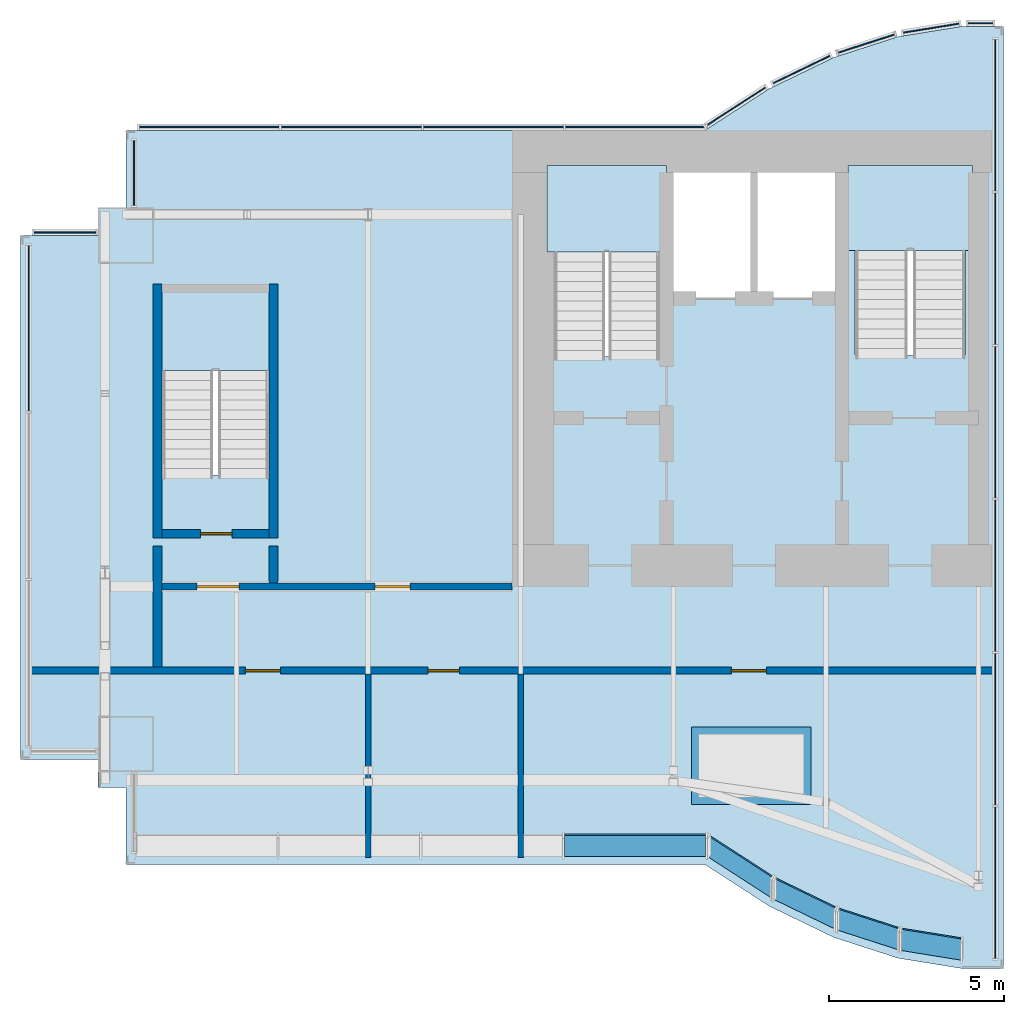
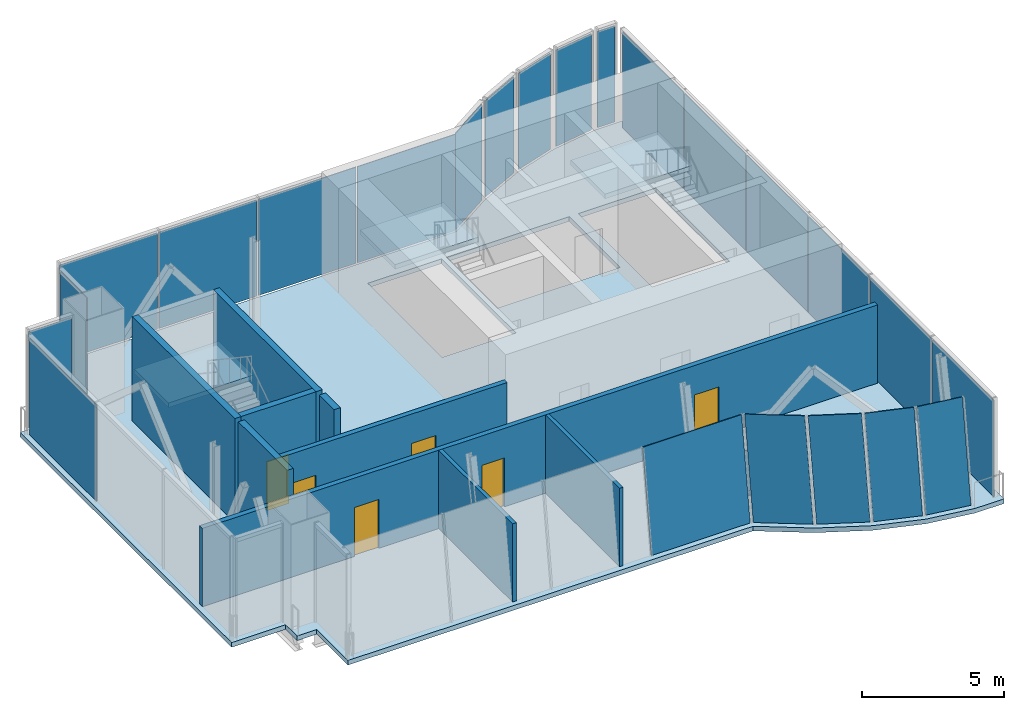
# One storey, part 3 of 6: 23 plates, 10 walls, 6 doors, 4 slabs, 6 openings, 18 elements without a shape of their own.
"""IFC4 building model written with IfcOpenShell, lengths in metres."""

from ifc_helpers import new_model, si_unit, direction, frame, frame_2d, origin, origin_2d, place, context, subcontext, project, spatial, polyline, rectangle, outline, extrude, material, layer, layer_set, type_object, element, fill, aggregate, save


model = new_model("IFC4")

# Units and contexts
model_context = context("Model", 3, precision=1e-05, world=origin(), true_north=direction((0.0, 1.0)))
body_context = subcontext(model_context, "Body", "Model", "MODEL_VIEW")
ifc_project = project(units=[si_unit("LENGTHUNIT", "METRE"), si_unit("AREAUNIT", "SQUARE_METRE"), si_unit("VOLUMEUNIT", "CUBIC_METRE"), si_unit("PLANEANGLEUNIT", "RADIAN"), si_unit("MASSUNIT", "GRAM", prefix="KILO")], contexts=[model_context])

# Site, building, storey
site_placement = place(None, origin())
site = spatial("IfcSite", under=ifc_project, at=site_placement, CompositionType="ELEMENT")
building_placement = place(site_placement, origin())
building = spatial("IfcBuilding", under=site, at=building_placement, Name="Bicima Exchange Tower", CompositionType="ELEMENT")
storey_placement = place(building_placement, frame((0.0, 0.0, 365.89990234375)))
storey = spatial("IfcBuildingStorey", under=building, at=storey_placement, Name="L82", CompositionType="ELEMENT", Elevation=365.89990234375)

# Slab
ifc_material_1 = material(Name="Concrete C40/50", Category="concrete")
ifc_layer_1 = layer(ifc_material_1, 0.199951171875)
ifc_layer_set_1 = layer_set([ifc_layer_1], Name="Concrete C40/50")
slab_type_1 = type_object("IfcSlabType", Name="Composite floor slab 200", PredefinedType="FLOOR", material=ifc_layer_set_1)
slab_1_placement = place(storey_placement, frame((0.0, 0.0, -0.199951171875)))
element("IfcSlab", 1, at=slab_1_placement, inside=storey, type_object=slab_type_1, Name="Floor slab", PredefinedType="FLOOR", context=body_context, shape_type="SweptSolid", body=[
    extrude(outline(polyline([(-33.800048828125, -17.92626953125), (-36.0, -17.92626953125), (-36.0, -3.0), (-33.800048828125, -3.0), (-33.800048828125, -2.199951171875), (-33.0, -2.199951171875), (-33.0, 0.0), (-16.5, 0.0), (-14.666748046875, 1.185302734375), (-12.833251953125, 2.07421875), (-11.0, 2.666748046875), (-9.166748046875, 2.962890625), (-8.0, 2.962890625), (-8.0, -23.88916015625), (-9.166748046875, -23.88916015625), (-11.0, -23.593017578125), (-12.833251953125, -23.000244140625), (-14.666748046875, -22.111572265625), (-16.5, -20.92626953125), (-33.0, -20.92626953125), (-33.0, -18.726318359375), (-33.800048828125, -18.726318359375), (-33.800048828125, -17.92626953125)]), holes=[polyline([(-28.925048828125, -4.625), (-31.97509765625, -4.625), (-31.97509765625, -9.824951171875), (-28.925048828125, -9.824951171875), (-28.925048828125, -4.625)]), polyline([(-17.800048828125, -1.199951171875), (-20.800048828125, -1.199951171875), (-20.800048828125, -6.449951171875), (-17.800048828125, -6.449951171875), (-17.800048828125, -1.199951171875)]), polyline([(-9.074951171875, -1.199951171875), (-12.22509765625, -1.199951171875), (-12.22509765625, -6.39990234375), (-9.074951171875, -6.39990234375), (-9.074951171875, -1.199951171875)]), polyline([(-12.60009765625, -1.199951171875), (-15.10009765625, -1.199951171875), (-17.60009765625, -1.199951171875), (-17.60009765625, -4.800048828125), (-15.10009765625, -4.800048828125), (-12.60009765625, -4.800048828125), (-12.60009765625, -1.199951171875)])]), origin(), (0.0, 0.0, 1.0), 0.199951171875),
])

# Curtain wall, plates
ifc_material_2 = material(Name="Anodised bronze aluminium", Category="aluminium")
curtain_wall_type = type_object("IfcCurtainWallType", Name="Crown glass wall", PredefinedType="NOTDEFINED", material=ifc_material_2)
curtain_wall_1_placement = place(storey_placement, origin())
curtain_wall_1 = element("IfcCurtainWall", 2, at=curtain_wall_1_placement, inside=storey, type_object=curtain_wall_type, Name="Crown glass wall L82 run 2", PredefinedType="NOTDEFINED")
ifc_material_3 = material(Name="Bronze tinted glass", Category="glass")
ifc_layer_2 = layer(ifc_material_3, 0.035888671875)
ifc_layer_set_2 = layer_set([ifc_layer_2], Name="Bronze tinted glass")
plate_type = type_object("IfcPlateType", Name="Crown glass wall glass panel 36", PredefinedType="CURTAIN_PANEL", material=ifc_layer_set_2)
plate_1_placement = place(storey_placement, frame((-8.22998046875, -21.4423828125, 0.0), z_axis=(0.0, 0.0, 1.0), x_axis=(0.0, 1.0, 0.0)))
plate_1 = element("IfcPlate", 3, at=plate_1_placement, type_object=plate_type, Name="Crown glass wall panel 1.1", PredefinedType="CURTAIN_PANEL", context=body_context, shape_type="SweptSolid", body=[
    extrude(rectangle(XDim=4.313720703125, YDim=0.035888671875, at=origin_2d()), origin(), (0.0, 0.0, 1.0), 4.139892578125),
])
plate_2_placement = place(storey_placement, frame((-8.22998046875, -17.068603515625, 0.0), z_axis=(0.0, 0.0, 1.0), x_axis=(0.0, 1.0, 0.0)))
plate_2 = element("IfcPlate", 4, at=plate_2_placement, type_object=plate_type, Name="Crown glass wall panel 2.1", PredefinedType="CURTAIN_PANEL", context=body_context, shape_type="SweptSolid", body=[
    extrude(rectangle(XDim=4.313720703125, YDim=0.035888671875, at=origin_2d()), origin(), (0.0, 0.0, 1.0), 4.139892578125),
])
plate_3_placement = place(storey_placement, frame((-8.22998046875, -12.695068359375, 0.0), z_axis=(0.0, 0.0, 1.0), x_axis=(0.0, 1.0, 0.0)))
plate_3 = element("IfcPlate", 5, at=plate_3_placement, type_object=plate_type, Name="Crown glass wall panel 3.1", PredefinedType="CURTAIN_PANEL", context=body_context, shape_type="SweptSolid", body=[
    extrude(rectangle(XDim=4.313720703125, YDim=0.035888671875, at=origin_2d()), origin(), (0.0, 0.0, 1.0), 4.139892578125),
])
plate_4_placement = place(storey_placement, frame((-8.22998046875, -8.3212890625, 0.0), z_axis=(0.0, 0.0, 1.0), x_axis=(0.0, 1.0, 0.0)))
plate_4 = element("IfcPlate", 6, at=plate_4_placement, type_object=plate_type, Name="Crown glass wall panel 4.1", PredefinedType="CURTAIN_PANEL", context=body_context, shape_type="SweptSolid", body=[
    extrude(rectangle(XDim=4.313720703125, YDim=0.035888671875, at=origin_2d()), origin(), (0.0, 0.0, 1.0), 4.139892578125),
])
plate_5_placement = place(storey_placement, frame((-8.22998046875, -3.947509765625, 0.0), z_axis=(0.0, 0.0, 1.0), x_axis=(0.0, 1.0, 0.0)))
plate_5 = element("IfcPlate", 7, at=plate_5_placement, type_object=plate_type, Name="Crown glass wall panel 5.1", PredefinedType="CURTAIN_PANEL", context=body_context, shape_type="SweptSolid", body=[
    extrude(rectangle(XDim=4.313720703125, YDim=0.035888671875, at=origin_2d()), origin(), (0.0, 0.0, 1.0), 4.139892578125),
])
plate_6_placement = place(storey_placement, frame((-8.22998046875, 0.426025390625, 0.0), z_axis=(0.0, 0.0, 1.0), x_axis=(0.0, 1.0, 0.0)))
plate_6 = element("IfcPlate", 8, at=plate_6_placement, type_object=plate_type, Name="Crown glass wall panel 6.1", PredefinedType="CURTAIN_PANEL", context=body_context, shape_type="SweptSolid", body=[
    extrude(rectangle(XDim=4.313720703125, YDim=0.035888671875, at=origin_2d()), origin(), (0.0, 0.0, 1.0), 4.139892578125),
])
aggregate(curtain_wall_1, [plate_1, plate_2, plate_3, plate_4, plate_5, plate_6])

# Curtain wall, plate
curtain_wall_2_placement = place(storey_placement, origin())
curtain_wall_2 = element("IfcCurtainWall", 9, at=curtain_wall_2_placement, inside=storey, type_object=curtain_wall_type, Name="Crown glass wall L82 run 3", PredefinedType="NOTDEFINED")
plate_7_placement = place(storey_placement, frame((-8.64404296875, 3.052978515625, 0.0), z_axis=(0.0, 0.0, 1.0), x_axis=(-1.0, 0.0, 0.0)))
plate_7 = element("IfcPlate", 10, at=plate_7_placement, type_object=plate_type, Name="Crown glass wall panel 1.1", PredefinedType="CURTAIN_PANEL", context=body_context, shape_type="SweptSolid", body=[
    extrude(rectangle(XDim=0.708251953125, YDim=0.035888671875, at=origin_2d()), origin(), (0.0, 0.0, 1.0), 4.139892578125),
])
aggregate(curtain_wall_2, [plate_7])

curtain_wall_3_placement = place(storey_placement, origin())
curtain_wall_3 = element("IfcCurtainWall", 11, at=curtain_wall_3_placement, inside=storey, type_object=curtain_wall_type, Name="Crown glass wall L82 run 4", PredefinedType="NOTDEFINED")
plate_8_placement = place(storey_placement, frame((-10.0537109375, 2.910888671875, 0.0), z_axis=(0.0, 0.0, 1.0), x_axis=(-0.987189786347, -0.159550386184, 0.0)))
plate_8 = element("IfcPlate", 12, at=plate_8_placement, type_object=plate_type, Name="Crown glass wall panel 1.1", PredefinedType="CURTAIN_PANEL", context=body_context, shape_type="SweptSolid", body=[
    extrude(rectangle(XDim=1.611083984375, YDim=0.035888671875, at=origin_2d()), origin(), (0.0, 0.0, 1.0), 4.139892578125),
])
aggregate(curtain_wall_3, [plate_8])

curtain_wall_4_placement = place(storey_placement, origin())
curtain_wall_4 = element("IfcCurtainWall", 13, at=curtain_wall_4_placement, inside=storey, type_object=curtain_wall_type, Name="Crown glass wall L82 run 5", PredefinedType="NOTDEFINED")
plate_9_placement = place(storey_placement, frame((-11.90234375, 2.469482421875, 0.0), z_axis=(0.0, 0.0, 1.0), x_axis=(-0.951524642381, -0.307572519808, 0.0)))
plate_9 = element("IfcPlate", 14, at=plate_9_placement, type_object=plate_type, Name="Crown glass wall panel 1.1", PredefinedType="CURTAIN_PANEL", context=body_context, shape_type="SweptSolid", body=[
    extrude(rectangle(XDim=1.68310546875, YDim=0.035888671875, at=origin_2d()), origin(), (0.0, 0.0, 1.0), 4.139892578125),
])
aggregate(curtain_wall_4, [plate_9])

curtain_wall_5_placement = place(storey_placement, origin())
curtain_wall_5 = element("IfcCurtainWall", 15, at=curtain_wall_5_placement, inside=storey, type_object=curtain_wall_type, Name="Crown glass wall L82 run 6", PredefinedType="NOTDEFINED")
plate_10_placement = place(storey_placement, frame((-13.74951171875, 1.72998046875, 0.0), z_axis=(0.0, 0.0, 1.0), x_axis=(-0.899818346812, -0.436264762204, 0.0)))
plate_10 = element("IfcPlate", 16, at=plate_10_placement, type_object=plate_type, Name="Crown glass wall panel 1.1", PredefinedType="CURTAIN_PANEL", context=body_context, shape_type="SweptSolid", body=[
    extrude(rectangle(XDim=1.79736328125, YDim=0.035888671875, at=origin_2d()), origin(), (0.0, 0.0, 1.0), 4.139892578125),
])
aggregate(curtain_wall_5, [plate_10])

curtain_wall_6_placement = place(storey_placement, origin())
curtain_wall_6 = element("IfcCurtainWall", 17, at=curtain_wall_6_placement, inside=storey, type_object=curtain_wall_type, Name="Crown glass wall L82 run 7", PredefinedType="NOTDEFINED")
plate_11_placement = place(storey_placement, frame((-15.62890625, 0.67041015625, 0.0), z_axis=(0.0, 0.0, 1.0), x_axis=(-0.839790466384, -0.542910648791, 0.0)))
plate_11 = element("IfcPlate", 18, at=plate_11_placement, type_object=plate_type, Name="Crown glass wall panel 1.1", PredefinedType="CURTAIN_PANEL", context=body_context, shape_type="SweptSolid", body=[
    extrude(rectangle(XDim=2.02685546875, YDim=0.035888671875, at=origin_2d()), origin(), (0.0, 0.0, 1.0), 4.139892578125),
])
aggregate(curtain_wall_6, [plate_11])

# Curtain wall, plates
curtain_wall_7_placement = place(storey_placement, origin())
curtain_wall_7 = element("IfcCurtainWall", 19, at=curtain_wall_7_placement, inside=storey, type_object=curtain_wall_type, Name="Crown glass wall L82 run 8", PredefinedType="NOTDEFINED")
plate_12_placement = place(storey_placement, frame((-18.485595703125, 0.090087890625, 0.0), z_axis=(0.0, 0.0, 1.0), x_axis=(-1.0, 0.0, 0.0)))
plate_12 = element("IfcPlate", 20, at=plate_12_placement, type_object=plate_type, Name="Crown glass wall panel 1.1", PredefinedType="CURTAIN_PANEL", context=body_context, shape_type="SweptSolid", body=[
    extrude(rectangle(XDim=3.987060546875, YDim=0.035888671875, at=origin_2d()), origin(), (0.0, 0.0, 1.0), 4.139892578125),
])
plate_13_placement = place(storey_placement, frame((-22.53271484375, 0.090087890625, 0.0), z_axis=(0.0, 0.0, 1.0), x_axis=(-1.0, 0.0, 0.0)))
plate_13 = element("IfcPlate", 21, at=plate_13_placement, type_object=plate_type, Name="Crown glass wall panel 2.1", PredefinedType="CURTAIN_PANEL", context=body_context, shape_type="SweptSolid", body=[
    extrude(rectangle(XDim=3.987060546875, YDim=0.035888671875, at=origin_2d()), origin(), (0.0, 0.0, 1.0), 4.139892578125),
])
plate_14_placement = place(storey_placement, frame((-26.57958984375, 0.090087890625, 0.0), z_axis=(0.0, 0.0, 1.0), x_axis=(-1.0, 0.0, 0.0)))
plate_14 = element("IfcPlate", 22, at=plate_14_placement, type_object=plate_type, Name="Crown glass wall panel 3.1", PredefinedType="CURTAIN_PANEL", context=body_context, shape_type="SweptSolid", body=[
    extrude(rectangle(XDim=3.987060546875, YDim=0.035888671875, at=origin_2d()), origin(), (0.0, 0.0, 1.0), 4.139892578125),
])
plate_15_placement = place(storey_placement, frame((-30.62646484375, 0.090087890625, 0.0), z_axis=(0.0, 0.0, 1.0), x_axis=(-1.0, 0.0, 0.0)))
plate_15 = element("IfcPlate", 23, at=plate_15_placement, type_object=plate_type, Name="Crown glass wall panel 4.1", PredefinedType="CURTAIN_PANEL", context=body_context, shape_type="SweptSolid", body=[
    extrude(rectangle(XDim=3.987060546875, YDim=0.035888671875, at=origin_2d()), origin(), (0.0, 0.0, 1.0), 4.139892578125),
])
aggregate(curtain_wall_7, [plate_12, plate_13, plate_14, plate_15])

# Curtain wall, plate
curtain_wall_8_placement = place(storey_placement, origin())
curtain_wall_8 = element("IfcCurtainWall", 24, at=curtain_wall_8_placement, inside=storey, type_object=curtain_wall_type, Name="Crown glass wall L82 run 9", PredefinedType="NOTDEFINED")
plate_16_placement = place(storey_placement, frame((-32.77001953125, -1.215087890625, 0.0), z_axis=(0.0, 0.0, 1.0), x_axis=(0.0, -1.0, 0.0)))
plate_16 = element("IfcPlate", 25, at=plate_16_placement, type_object=plate_type, Name="Crown glass wall panel 1.1", PredefinedType="CURTAIN_PANEL", context=body_context, shape_type="SweptSolid", body=[
    extrude(rectangle(XDim=1.85009765625, YDim=0.035888671875, at=origin_2d()), origin(), (0.0, 0.0, 1.0), 4.139892578125),
])
aggregate(curtain_wall_8, [plate_16])

curtain_wall_9_placement = place(storey_placement, origin())
curtain_wall_9 = element("IfcCurtainWall", 26, at=curtain_wall_9_placement, inside=storey, type_object=curtain_wall_type, Name="Crown glass wall L82 run 10", PredefinedType="NOTDEFINED")
plate_17_placement = place(storey_placement, frame((-34.739990234375, -2.909912109375, 0.0), z_axis=(0.0, 0.0, 1.0), x_axis=(-1.0, 0.0, 0.0)))
plate_17 = element("IfcPlate", 27, at=plate_17_placement, type_object=plate_type, Name="Crown glass wall panel 1.1", PredefinedType="CURTAIN_PANEL", context=body_context, shape_type="SweptSolid", body=[
    extrude(rectangle(XDim=1.760009765625, YDim=0.035888671875, at=origin_2d()), origin(), (0.0, 0.0, 1.0), 4.139892578125),
])
aggregate(curtain_wall_9, [plate_17])

curtain_wall_10_placement = place(storey_placement, origin())
curtain_wall_10 = element("IfcCurtainWall", 28, at=curtain_wall_10_placement, inside=storey, type_object=curtain_wall_type, Name="Crown glass wall L82 run 11", PredefinedType="NOTDEFINED")
plate_18_placement = place(storey_placement, frame((-35.77001953125, -5.64599609375, 0.0), z_axis=(0.0, 0.0, 1.0), x_axis=(0.0, -1.0, 0.0)))
plate_18 = element("IfcPlate", 29, at=plate_18_placement, type_object=plate_type, Name="Crown glass wall panel 1.1", PredefinedType="CURTAIN_PANEL", context=body_context, shape_type="SweptSolid", body=[
    extrude(rectangle(XDim=4.712158203125, YDim=0.035888671875, at=origin_2d()), origin(), (0.0, 0.0, 1.0), 4.139892578125),
])
aggregate(curtain_wall_10, [plate_18])

curtain_wall_11_placement = place(storey_placement, origin())
curtain_wall_11 = element("IfcCurtainWall", 30, at=curtain_wall_11_placement, inside=storey, type_object=curtain_wall_type, Name="Crown tilted glass L82 14.1", PredefinedType="NOTDEFINED")
plate_19_placement = place(storey_placement, frame((-20.501708984375, -20.6962890625, 0.0), z_axis=(0.0, -0.99027074745, 0.139154039626), x_axis=(1.0, 0.0, 0.0)))
plate_19 = element("IfcPlate", 31, at=plate_19_placement, type_object=plate_type, Name="Crown tilted glass panel 4", PredefinedType="CURTAIN_PANEL", context=body_context, shape_type="SweptSolid", body=[
    extrude(outline(polyline([(0.0, 0.0), (4.009521484375, 0.0), (4.009521484375, 4.342296123758884), (0.0, 4.342296123758884), (0.0, 0.0)])), origin(), (0.0, 0.0, -1.0), 0.035888671875),
])
aggregate(curtain_wall_11, [plate_19])

curtain_wall_12_placement = place(storey_placement, origin())
curtain_wall_12 = element("IfcCurtainWall", 32, at=curtain_wall_12_placement, inside=storey, type_object=curtain_wall_type, Name="Crown tilted glass L82 15.1", PredefinedType="NOTDEFINED")
plate_20_placement = place(storey_placement, frame((-16.381591796875, -20.72900390625, 0.0), z_axis=(-0.539162661513, -0.834001134156, 0.117242196569), x_axis=(0.839792890287, -0.542906899407, 0.0)))
plate_20 = element("IfcPlate", 33, at=plate_20_placement, type_object=plate_type, Name="Crown tilted glass panel 1", PredefinedType="CURTAIN_PANEL", context=body_context, shape_type="SweptSolid", body=[
    extrude(outline(polyline([(0.0, 0.0), (2.116697951583747, 2.7755575615628914e-17), (1.7885149723525045, 4.329910698981057), (-0.32818297923124284, 4.329910698981057), (0.0, 0.0)])), origin(), (0.0, 0.0, -1.0), 0.035888671875),
])
aggregate(curtain_wall_12, [plate_20])

curtain_wall_13_placement = place(storey_placement, origin())
curtain_wall_13 = element("IfcCurtainWall", 34, at=curtain_wall_13_placement, inside=storey, type_object=curtain_wall_type, Name="Crown tilted glass L82 16.1", PredefinedType="NOTDEFINED")
plate_21_placement = place(storey_placement, frame((-14.499755859375, -21.93701171875, 0.0), z_axis=(-0.432764245492, -0.89273264815, 0.125473211292), x_axis=(0.899844508599, -0.436210798, 7.244359e-06)))
plate_21 = element("IfcPlate", 35, at=plate_21_placement, type_object=plate_type, Name="Crown tilted glass panel 1", PredefinedType="CURTAIN_PANEL", context=body_context, shape_type="SweptSolid", body=[
    extrude(outline(polyline([(0.0, 0.0), (1.8874807268503508, 0.0), (1.6239323552300162, 4.334290930515845), (-0.2636548683971902, 4.334318496315468), (0.0, 0.0)])), origin(), (0.0, 0.0, -1.0), 0.035888671875),
])
aggregate(curtain_wall_13, [plate_21])

curtain_wall_14_placement = place(storey_placement, origin())
curtain_wall_14 = element("IfcCurtainWall", 36, at=curtain_wall_14_placement, inside=storey, type_object=curtain_wall_type, Name="Crown tilted glass L82 17.1", PredefinedType="NOTDEFINED")
plate_22_placement = place(storey_placement, frame((-12.690185546875, -22.8046875, 0.0), z_axis=(-0.304908856008, -0.943115575208, 0.132527737957), x_axis=(0.951508549588, -0.307622300981, 0.0)))
plate_22 = element("IfcPlate", 37, at=plate_22_placement, type_object=plate_type, Name="Crown tilted glass panel 1", PredefinedType="CURTAIN_PANEL", context=body_context, shape_type="SweptSolid", body=[
    extrude(outline(polyline([(0.0, 0.0), (1.772986400889888, 0.0), (1.5871062263468465, 4.33831582381035), (-0.18588017454304137, 4.33831582381035), (0.0, 0.0)])), origin(), (0.0, 0.0, -1.0), 0.035888671875),
])
aggregate(curtain_wall_14, [plate_22])

curtain_wall_15_placement = place(storey_placement, origin())
curtain_wall_15 = element("IfcCurtainWall", 38, at=curtain_wall_15_placement, inside=storey, type_object=curtain_wall_type, Name="Crown tilted glass L82 18.1", PredefinedType="NOTDEFINED")
plate_23_placement = place(storey_placement, frame((-10.88671875, -23.378173828125, 0.0), z_axis=(-0.158088635796, -0.977818018892, 0.137404167192), x_axis=(0.987181369594, -0.159602454636, 0.0)))
plate_23 = element("IfcPlate", 39, at=plate_23_placement, type_object=plate_type, Name="Crown tilted glass panel 1", PredefinedType="CURTAIN_PANEL", context=body_context, shape_type="SweptSolid", body=[
    extrude(outline(polyline([(0.0, 0.0), (1.7010037572326968, -6.938893903907228e-18), (1.6045642857422238, 4.34122506382128), (-0.09643947149047298, 4.34122506382128), (0.0, 0.0)])), origin(), (0.0, 0.0, -1.0), 0.035888671875),
])
aggregate(curtain_wall_15, [plate_23])

# Stair, slab
ifc_material_4 = material(Name="Concrete C50/60", Category="concrete")
stair_type_1 = type_object("IfcStairType", Name="Exit stair", PredefinedType="HALF_TURN_STAIR", material=ifc_material_4)
stair_1_placement = place(storey_placement, origin())
stair_1 = element("IfcStair", 40, at=stair_1_placement, inside=storey, type_object=stair_type_1, Name="L82 West exit stair", PredefinedType="HALF_TURN_STAIR")
ifc_layer_3 = layer(ifc_material_4, 0.199951171875)
ifc_layer_set_3 = layer_set([ifc_layer_3], Name="Concrete C50/60")
slab_type_2 = type_object("IfcSlabType", Name="Stair landing slab", PredefinedType="LANDING", material=ifc_layer_set_3)
slab_2_placement = place(storey_placement, frame((0.0, 0.0, 2.050048828125)))
slab_2 = element("IfcSlab", 41, at=slab_2_placement, type_object=slab_type_2, Name="ST-W landing 1", PredefinedType="LANDING", context=body_context, shape_type="SweptSolid", body=[
    extrude(outline(polyline([(-17.60009765625, -3.469970703125), (-17.60009765625, -1.0), (-21.0, -1.0), (-21.0, -3.469970703125), (-17.60009765625, -3.469970703125)])), origin(), (0.0, 0.0, 1.0), 0.199951171875),
])
aggregate(stair_1, [slab_2])

stair_type_2 = type_object("IfcStairType", Name="Exit stair 1500", PredefinedType="HALF_TURN_STAIR", material=ifc_material_4)
stair_2_placement = place(storey_placement, origin())
stair_2 = element("IfcStair", 42, at=stair_2_placement, inside=storey, type_object=stair_type_2, Name="L82 Crown exit stair", PredefinedType="HALF_TURN_STAIR")
slab_3_placement = place(storey_placement, frame((0.0, 0.0, 2.050048828125)))
slab_3 = element("IfcSlab", 43, at=slab_3_placement, type_object=slab_type_2, Name="ST-CR landing 1", PredefinedType="LANDING", context=body_context, shape_type="SweptSolid", body=[
    extrude(outline(polyline([(-8.875, -3.419921875), (-8.875, -1.0), (-12.425048828125, -1.0), (-12.425048828125, -3.419921875), (-8.875, -3.419921875)])), origin(), (0.0, 0.0, 1.0), 0.199951171875),
])
aggregate(stair_2, [slab_3])

stair_3_placement = place(storey_placement, origin())
stair_3 = element("IfcStair", 44, at=stair_3_placement, inside=storey, type_object=stair_type_1, Name="L82 West end exit stair", PredefinedType="HALF_TURN_STAIR")
slab_4_placement = place(storey_placement, frame((0.0, 0.0, 2.050048828125)))
slab_4 = element("IfcSlab", 45, at=slab_4_placement, type_object=slab_type_2, Name="ST-WW landing 1", PredefinedType="LANDING", context=body_context, shape_type="SweptSolid", body=[
    extrude(outline(polyline([(-28.72509765625, -6.844970703125), (-28.72509765625, -4.425048828125), (-32.175048828125, -4.425048828125), (-32.175048828125, -6.844970703125), (-28.72509765625, -6.844970703125)])), origin(), (0.0, 0.0, 1.0), 0.199951171875),
])
aggregate(stair_3, [slab_4])

# Wall, openings, doors
ifc_material_5 = material(Name="Gypsum board partition")
ifc_layer_4 = layer(ifc_material_5, 0.199951171875)
ifc_layer_set_4 = layer_set([ifc_layer_4], Name="Gypsum board partition")
wall_type_1 = type_object("IfcWallType", Name="Fire-rated gypsum partition 200 EI60", PredefinedType="PARTITIONING", material=ifc_layer_set_4)
wall_1_placement = place(storey_placement, frame((-35.7900390625, -15.39990234375, 0.0), z_axis=(0.0, 0.0, 1.0), x_axis=(1.0, 0.0, 0.0)))
wall_1 = element("IfcWall", 46, at=wall_1_placement, inside=storey, type_object=wall_type_1, Name="partition wall 1", PredefinedType="PARTITIONING", context=body_context, shape_type="SweptSolid", body=[
    extrude(rectangle(XDim=27.489990234375, YDim=0.199951171875, at=frame_2d((13.7451171875, 0.0))), origin(), (0.0, 0.0, 1.0), 3.368408203125),
])
opening_1_placement = place(wall_1_placement, frame((6.18994140625, 0.0, 0.0)))
opening_1 = element("IfcOpeningElement", 47, at=opening_1_placement, cuts=wall_1, Name="Opening L82-004", PredefinedType="OPENING", context=body_context, shape_type="SweptSolid", body=[
    extrude(rectangle(XDim=1.0, YDim=2.10009765625, at=frame_2d((0.5, 1.050048828125))), frame((0.0, 0.11181640625, 0.0), z_axis=(0.0, -1.0, 0.0), x_axis=(1.0, 0.0, 0.0)), (0.0, 0.0, 1.0), 0.223876953125),
])
opening_2_placement = place(wall_1_placement, frame((11.389892578125, 0.0, 0.0)))
opening_2 = element("IfcOpeningElement", 48, at=opening_2_placement, cuts=wall_1, Name="Opening L82-005", PredefinedType="OPENING", context=body_context, shape_type="SweptSolid", body=[
    extrude(rectangle(XDim=0.89990234375, YDim=2.10009765625, at=frame_2d((0.449951171875, 1.050048828125))), frame((0.0, 0.11181640625, 0.0), z_axis=(0.0, -1.0, 0.0), x_axis=(1.0, 0.0, 0.0)), (0.0, 0.0, 1.0), 0.223876953125),
])
opening_3_placement = place(wall_1_placement, frame((20.0400390625, 0.0, 0.0)))
opening_3 = element("IfcOpeningElement", 49, at=opening_3_placement, cuts=wall_1, Name="Opening L82-006", PredefinedType="OPENING", context=body_context, shape_type="SweptSolid", body=[
    extrude(rectangle(XDim=1.0, YDim=2.10009765625, at=frame_2d((0.5, 1.050048828125))), frame((0.0, 0.11181640625, 0.0), z_axis=(0.0, -1.0, 0.0), x_axis=(1.0, 0.0, 0.0)), (0.0, 0.0, 1.0), 0.223876953125),
])
ifc_material_6 = material(Name="Steel fire door leaf", Category="steel")
door_type_1 = type_object("IfcDoorType", Name="Door 1000 swing FD30S", OperationType="SINGLE_SWING_LEFT", PredefinedType="DOOR", material=ifc_material_6)
door_1_placement = place(opening_1_placement, frame((1.0, 0.0, 0.0), z_axis=(0.0, 0.0, 1.0), x_axis=(-1.0, 0.0, 0.0)))
door_1 = element("IfcDoor", 50, at=door_1_placement, inside=storey, type_object=door_type_1, Name="Door", OperationType="SINGLE_SWING_LEFT", OverallHeight=2.10009765625, OverallWidth=1.0, PredefinedType="DOOR", context=body_context, shape_type="SweptSolid", body=[
    extrude(rectangle(XDim=1.0, YDim=2.10009765625, at=frame_2d((0.5, 1.050048828125))), frame((0.0, 0.02490234375, 0.0), z_axis=(0.0, -1.0, 0.0), x_axis=(1.0, 0.0, 0.0)), (0.0, 0.0, 1.0), 0.050048828125),
])
fill(opening_1, door_1)
door_2_placement = place(opening_3_placement, frame((1.0, 0.0, 0.0), z_axis=(0.0, 0.0, 1.0), x_axis=(-1.0, 0.0, 0.0)))
door_2 = element("IfcDoor", 51, at=door_2_placement, inside=storey, type_object=door_type_1, Name="Door", OperationType="SINGLE_SWING_RIGHT", OverallHeight=2.10009765625, OverallWidth=1.0, PredefinedType="DOOR", context=body_context, shape_type="SweptSolid", body=[
    extrude(rectangle(XDim=1.0, YDim=2.10009765625, at=frame_2d((0.5, 1.050048828125))), frame((0.0, 0.02490234375, 0.0), z_axis=(0.0, -1.0, 0.0), x_axis=(1.0, 0.0, 0.0)), (0.0, 0.0, 1.0), 0.050048828125),
])
fill(opening_3, door_2)
door_type_2 = type_object("IfcDoorType", Name="Door 900 swing FD30S", OperationType="SINGLE_SWING_LEFT", PredefinedType="DOOR", material=ifc_material_6)
door_3_placement = place(opening_2_placement, frame((0.89990234375, 0.0, 0.0), z_axis=(0.0, 0.0, 1.0), x_axis=(-1.0, 0.0, 0.0)))
door_3 = element("IfcDoor", 52, at=door_3_placement, inside=storey, type_object=door_type_2, Name="Door", OperationType="SINGLE_SWING_RIGHT", OverallHeight=2.10009765625, OverallWidth=0.89990234375, PredefinedType="DOOR", context=body_context, shape_type="SweptSolid", body=[
    extrude(rectangle(XDim=0.89990234375, YDim=2.10009765625, at=frame_2d((0.449951171875, 1.050048828125))), frame((0.0, 0.02490234375, 0.0), z_axis=(0.0, -1.0, 0.0), x_axis=(1.0, 0.0, 0.0)), (0.0, 0.0, 1.0), 0.050048828125),
])
fill(opening_2, door_3)

wall_2_placement = place(storey_placement, frame((-31.97509765625, -13.0, 0.0), z_axis=(0.0, 0.0, 1.0), x_axis=(1.0, 0.0, 0.0)))
wall_2 = element("IfcWall", 53, at=wall_2_placement, inside=storey, type_object=wall_type_1, Name="partition wall 2", PredefinedType="PARTITIONING", context=body_context, shape_type="SweptSolid", body=[
    extrude(rectangle(XDim=9.97509765625, YDim=0.199951171875, at=frame_2d((4.987548828125, 0.0))), origin(), (0.0, 0.0, 1.0), 3.368408203125),
])
opening_4_placement = place(wall_2_placement, frame((1.0, 0.0, 0.0)))
opening_4 = element("IfcOpeningElement", 54, at=opening_4_placement, cuts=wall_2, Name="Opening L82-001", PredefinedType="OPENING", context=body_context, shape_type="SweptSolid", body=[
    extrude(rectangle(XDim=1.199951171875, YDim=2.10009765625, at=frame_2d((0.60009765625, 1.050048828125))), frame((0.0, 0.11181640625, 0.0), z_axis=(0.0, -1.0, 0.0), x_axis=(1.0, 0.0, 0.0)), (0.0, 0.0, 1.0), 0.223876953125),
])
opening_5_placement = place(wall_2_placement, frame((6.074951171875, 0.0, 0.0)))
opening_5 = element("IfcOpeningElement", 55, at=opening_5_placement, cuts=wall_2, Name="Opening L82-003", PredefinedType="OPENING", context=body_context, shape_type="SweptSolid", body=[
    extrude(rectangle(XDim=1.0, YDim=2.10009765625, at=frame_2d((0.5, 1.050048828125))), frame((0.0, 0.11181640625, 0.0), z_axis=(0.0, -1.0, 0.0), x_axis=(1.0, 0.0, 0.0)), (0.0, 0.0, 1.0), 0.223876953125),
])
door_4_placement = place(opening_5_placement, origin())
door_4 = element("IfcDoor", 56, at=door_4_placement, inside=storey, type_object=door_type_1, Name="Door", OperationType="SINGLE_SWING_RIGHT", OverallHeight=2.10009765625, OverallWidth=1.0, PredefinedType="DOOR", context=body_context, shape_type="SweptSolid", body=[
    extrude(rectangle(XDim=1.0, YDim=2.10009765625, at=frame_2d((0.5, 1.050048828125))), frame((0.0, 0.02490234375, 0.0), z_axis=(0.0, -1.0, 0.0), x_axis=(1.0, 0.0, 0.0)), (0.0, 0.0, 1.0), 0.050048828125),
])
fill(opening_5, door_4)
door_type_3 = type_object("IfcDoorType", Name="Door 1200 swing FD30S", OperationType="SINGLE_SWING_LEFT", PredefinedType="DOOR", material=ifc_material_6)
door_5_placement = place(opening_4_placement, origin())
door_5 = element("IfcDoor", 57, at=door_5_placement, inside=storey, type_object=door_type_3, Name="Door", OperationType="SINGLE_SWING_LEFT", OverallHeight=2.10009765625, OverallWidth=1.199951171875, PredefinedType="DOOR", context=body_context, shape_type="SweptSolid", body=[
    extrude(rectangle(XDim=1.199951171875, YDim=2.10009765625, at=frame_2d((0.60009765625, 1.050048828125))), frame((0.0, 0.02490234375, 0.0), z_axis=(0.0, -1.0, 0.0), x_axis=(1.0, 0.0, 0.0)), (0.0, 0.0, 1.0), 0.050048828125),
])
fill(opening_4, door_5)

# Walls
ifc_layer_5 = layer(ifc_material_5, 0.14990234375)
ifc_layer_set_5 = layer_set([ifc_layer_5], Name="Gypsum board partition")
wall_type_2 = type_object("IfcWallType", Name="Gypsum partition 150", PredefinedType="PARTITIONING", material=ifc_layer_set_5)
for number, where, z_axis, x_axis, name in (
    (58, (-26.10009765625, -20.719970703125, 0.0), (0.0, 0.0, 1.0), (0.0, 1.0, 0.0), "partition wall 7"),
    (59, (-21.75, -20.719970703125, 0.0), (0.0, 0.0, 1.0), (0.0, 1.0, 0.0), "partition wall 8"),
):
    element("IfcWall", number, at=place(storey_placement, frame(where, z_axis=z_axis, x_axis=x_axis)), inside=storey, type_object=wall_type_2, Name=name, PredefinedType="PARTITIONING", context=body_context, shape_type="SweptSolid", body=[
        extrude(rectangle(XDim=5.219970703125, YDim=0.14990234375, at=frame_2d((2.60986328125, 0.0))), origin(), (0.0, 0.0, 1.0), 3.368408203125),
    ])
ifc_layer_6 = layer(ifc_material_1, 0.2)
ifc_layer_set_6 = layer_set([ifc_layer_6], Name="Concrete C40/50")
wall_type_3 = type_object("IfcWallType", Name="Plant plinth 200", PredefinedType="USERDEFINED", material=ifc_layer_set_6)
wall_3_placement = place(storey_placement, frame((-15.18505859375, -18.110107421875, 0.0), z_axis=(0.0, 0.0, 1.0), x_axis=(1.0, 0.0, 0.0)))
element("IfcWall", 60, at=wall_3_placement, inside=storey, type_object=wall_type_3, Name="Plant plinth Pump set", ObjectType="PLINTH", PredefinedType="USERDEFINED", context=body_context, shape_type="SweptSolid", body=[
    extrude(rectangle(XDim=3.39990234375, YDim=2.199951171875, at=origin_2d()), origin(), (0.0, 0.0, 1.0), 0.199951171875),
])
ifc_layer_7 = layer(ifc_material_4, 0.25)
ifc_layer_set_7 = layer_set([ifc_layer_7], Name="Concrete C50/60")
wall_type_4 = type_object("IfcWallType", Name="RC core wall 250 C50/60", PredefinedType="SHEAR", material=ifc_layer_set_7)
wall_4_placement = place(storey_placement, frame((-32.10009765625, -15.300048828125, 0.0), z_axis=(0.0, 0.0, 1.0), x_axis=(0.0, 1.0, 0.0)))
element("IfcWall", 61, at=wall_4_placement, inside=storey, type_object=wall_type_4, Name="stair wall 5", PredefinedType="SHEAR", context=body_context, shape_type="SweptSolid", body=[
    extrude(rectangle(XDim=3.449951171875, YDim=0.25, at=frame_2d((1.72509765625, 0.0))), origin(), (0.0, 0.0, 1.0), 4.5),
])
wall_5_placement = place(storey_placement, frame((-28.800048828125, -12.89990234375, 0.0), z_axis=(0.0, 0.0, 1.0), x_axis=(0.0, 1.0, 0.0)))
element("IfcWall", 62, at=wall_5_placement, inside=storey, type_object=wall_type_4, Name="stair wall 6", PredefinedType="SHEAR", context=body_context, shape_type="SweptSolid", body=[
    extrude(rectangle(XDim=1.0498046875, YDim=0.25, at=frame_2d((0.52490234375, 0.0))), origin(), (0.0, 0.0, 1.0), 4.5),
])
ifc_layer_8 = layer(ifc_material_4, 0.25)
ifc_layer_set_8 = layer_set([ifc_layer_8], Name="Concrete C50/60")
wall_type_5 = type_object("IfcWallType", Name="RC stair enclosure wall 250 C50/60", PredefinedType="SHEAR", material=ifc_layer_set_8)
for number, where, z_axis, x_axis, name in (
    (63, (-32.10009765625, -11.625, 0.0), (0.0, 0.0, 1.0), (0.0, 1.0, 0.0), "West end exit stair wall W"),
    (64, (-28.800048828125, -11.625, 0.0), (0.0, 0.0, 1.0), (0.0, 1.0, 0.0), "West end exit stair wall E"),
):
    element("IfcWall", number, at=place(storey_placement, frame(where, z_axis=z_axis, x_axis=x_axis)), inside=storey, type_object=wall_type_5, Name=name, PredefinedType="SHEAR", context=body_context, shape_type="SweptSolid", body=[
        extrude(rectangle(XDim=7.25, YDim=0.25, at=frame_2d((3.625, 0.0))), origin(), (0.0, 0.0, 1.0), 4.5),
    ])

# Wall, opening, door
wall_6_placement = place(storey_placement, frame((-31.97509765625, -11.5, 0.0), z_axis=(0.0, 0.0, 1.0), x_axis=(1.0, 0.0, 0.0)))
wall_6 = element("IfcWall", 65, at=wall_6_placement, inside=storey, type_object=wall_type_5, Name="West end exit stair wall S", PredefinedType="SHEAR", context=body_context, shape_type="SweptSolid", body=[
    extrude(rectangle(XDim=3.050048828125, YDim=0.25, at=frame_2d((1.52490234375, 0.0))), origin(), (0.0, 0.0, 1.0), 4.5),
])
opening_6_placement = place(wall_6_placement, frame((1.10009765625, 0.0, 0.0)))
opening_6 = element("IfcOpeningElement", 66, at=opening_6_placement, cuts=wall_6, Name="Opening L82-002", PredefinedType="OPENING", context=body_context, shape_type="SweptSolid", body=[
    extrude(rectangle(XDim=0.89990234375, YDim=2.10009765625, at=frame_2d((0.449951171875, 1.050048828125))), frame((0.0, 0.136962890625, 0.0), z_axis=(0.0, -1.0, 0.0), x_axis=(1.0, 0.0, 0.0)), (0.0, 0.0, 1.0), 0.27392578125),
])
door_type_4 = type_object("IfcDoorType", Name="Door 900 swing FD60S", OperationType="SINGLE_SWING_LEFT", PredefinedType="DOOR", material=ifc_material_6)
door_6_placement = place(opening_6_placement, origin())
door_6 = element("IfcDoor", 67, at=door_6_placement, inside=storey, type_object=door_type_4, Name="Door", OperationType="SINGLE_SWING_LEFT", OverallHeight=2.10009765625, OverallWidth=0.89990234375, PredefinedType="DOOR", context=body_context, shape_type="SweptSolid", body=[
    extrude(rectangle(XDim=0.89990234375, YDim=2.10009765625, at=frame_2d((0.449951171875, 1.050048828125))), frame((0.0, 0.02490234375, 0.0), z_axis=(0.0, -1.0, 0.0), x_axis=(1.0, 0.0, 0.0)), (0.0, 0.0, 1.0), 0.050048828125),
])
fill(opening_6, door_6)

save(model, "model.ifc")
